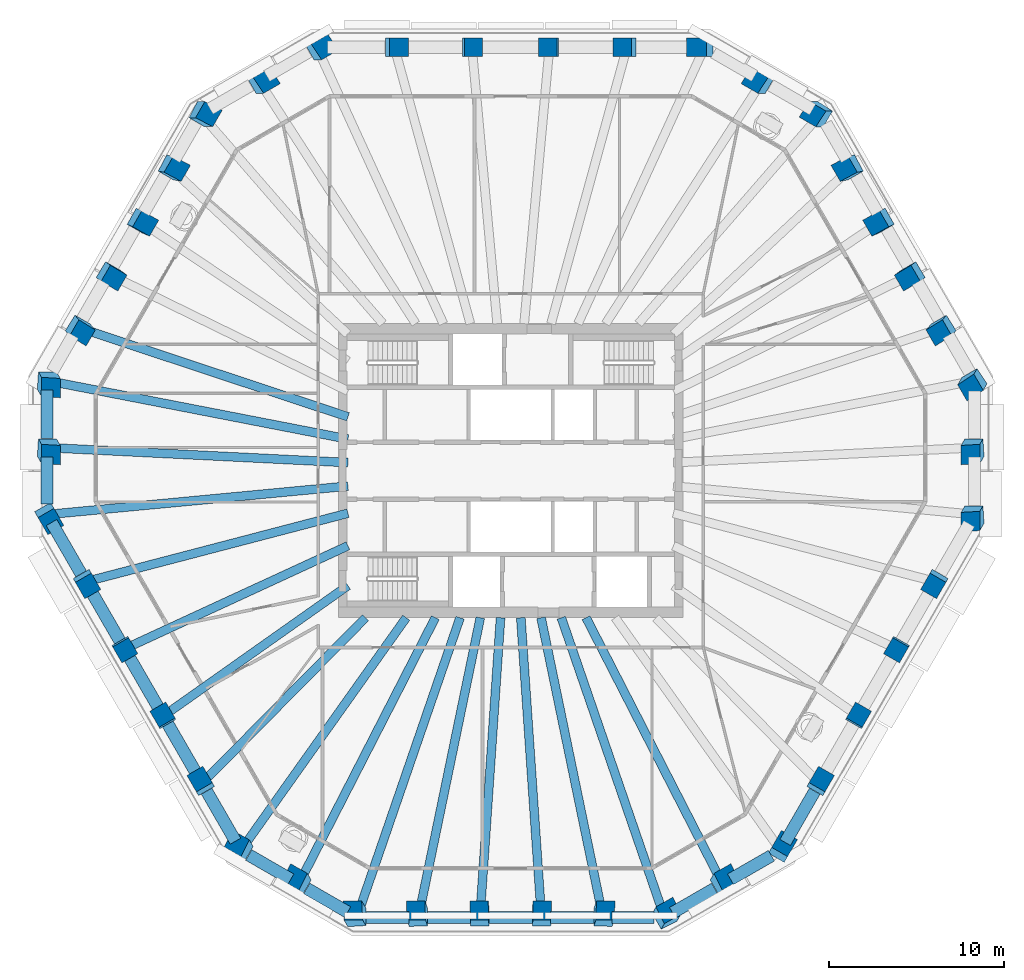
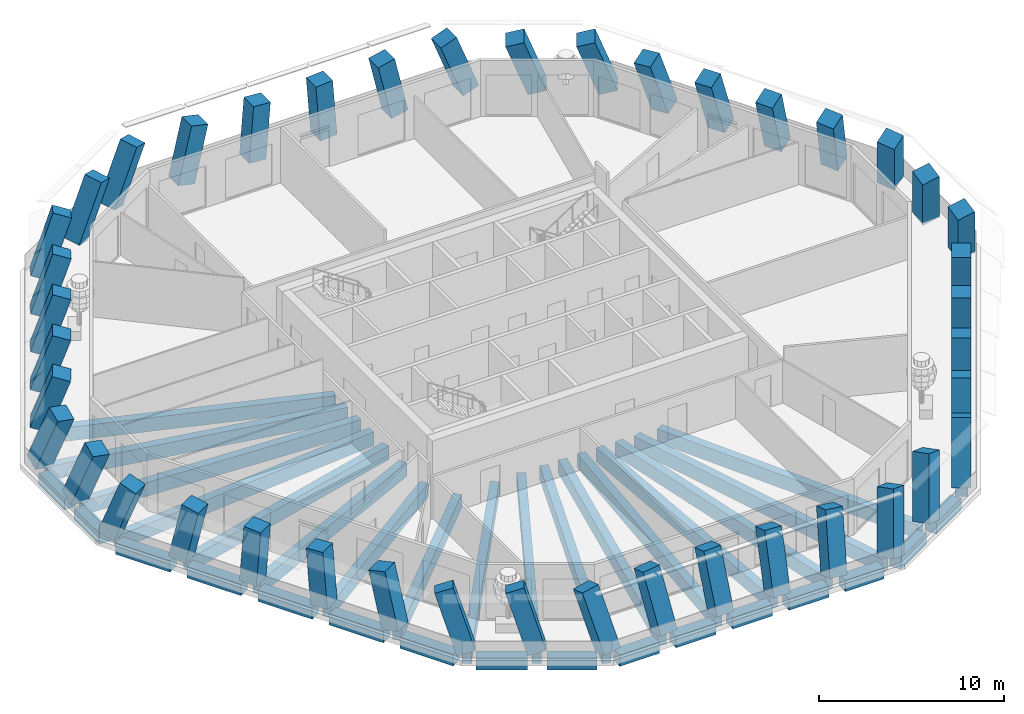
# One storey, part 1 of 12: 42 columns, 34 beams.
"""IFC4 building model written with IfcOpenShell, lengths in metres."""

import ifcopenshell
import ifcopenshell.guid

model = None  # the IFC model being written
_history = None  # IfcOwnerHistory: only IFC2X3 demands one
_inside = {}  # id of a spatial element -> (the spatial element, [elements in it])
_under = {}  # id of a project, library or spatial element -> (it, [spatial elements below it])
_declared = {}  # id of a project -> (the project, [libraries it declares])
_typed = {}  # id of a type object -> (the type object, [elements of that type])
_made_of = {}  # id of a material, layer set ... -> (it, [elements and type objects made of it])


def new_model(schema):
    """Start an empty IFC model of exactly this schema.

    Asked for "IFC4X3", IfcOpenShell would pick the latest addendum, in which some entities
    have other attributes; the version numbers below select the first issue.
    IFC2X3 requires an IfcOwnerHistory on every rooted entity: one is made here for all.
    """
    global model, _history
    if schema == "IFC4X3":
        model = ifcopenshell.file(schema_version=(4, 3, 0, 0))
    else:
        model = ifcopenshell.file(schema=schema)
    _inside.clear()
    _under.clear()
    _declared.clear()
    _typed.clear()
    _made_of.clear()
    _history = None
    if model.schema == "IFC2X3":
        org = make("IfcOrganization", Name="unknown")
        user = make(
            "IfcPersonAndOrganization",
            ThePerson=make("IfcPerson", FamilyName="unknown"),
            TheOrganization=org,
        )
        app = make(
            "IfcApplication",
            ApplicationDeveloper=org,
            Version="unknown",
            ApplicationFullName="unknown",
            ApplicationIdentifier="unknown",
        )
        _history = make(
            "IfcOwnerHistory",
            OwningUser=user,
            OwningApplication=app,
            ChangeAction="ADDED",
            CreationDate=0,
        )
    return model


def make(cls, **values):
    """One entity of the class cls with the attributes given. An attribute that is None is left unset."""
    return model.create_entity(
        cls, **{name: value for name, value in values.items() if value is not None}
    )


def rooted(cls, **values):
    """An entity with a GlobalId (a new one), such as an element, a storey or a relation."""
    return make(cls, GlobalId=ifcopenshell.guid.new(), OwnerHistory=_history, **values)


def si_unit(unit_type, name, prefix=None):
    """IfcSIUnit, for example si_unit("LENGTHUNIT", "METRE", prefix="MILLI")."""
    return make("IfcSIUnit", UnitType=unit_type, Prefix=prefix, Name=name)


def assignment(units):
    """IfcUnitAssignment: the units of a project."""
    return None if units is None else make("IfcUnitAssignment", Units=units)


def point(xyz):
    """IfcCartesianPoint."""
    return None if xyz is None else make("IfcCartesianPoint", Coordinates=xyz)


def direction(xyz):
    """IfcDirection."""
    return None if xyz is None else make("IfcDirection", DirectionRatios=xyz)


def frame(location, z_axis=None, x_axis=None):
    """IfcAxis2Placement3D, a coordinate frame: its origin and axes. An axis left out is left unset."""
    return make(
        "IfcAxis2Placement3D",
        Location=point(location),
        Axis=direction(z_axis),
        RefDirection=direction(x_axis),
    )


def frame_2d(location, x_axis=None):
    """IfcAxis2Placement2D, a coordinate frame in the plane: its origin and x axis."""
    return make(
        "IfcAxis2Placement2D", Location=point(location), RefDirection=direction(x_axis)
    )


def origin():
    """The frame at (0, 0, 0) with its axes left unset."""
    return frame((0.0, 0.0, 0.0))


def origin_2d():
    """The frame at (0, 0) in the plane with its x axis left unset."""
    return frame_2d((0.0, 0.0))


def place(relative_to, where):
    """IfcLocalPlacement: puts the frame where relative to a parent placement (None: the world)."""
    return make(
        "IfcLocalPlacement", PlacementRelTo=relative_to, RelativePlacement=where
    )


def context(
    kind, dimensions, precision=None, world=None, true_north=None, identifier=None
):
    """IfcGeometricRepresentationContext, for example the 3D "Model" context."""
    return make(
        "IfcGeometricRepresentationContext",
        ContextIdentifier=identifier,
        ContextType=kind,
        CoordinateSpaceDimension=dimensions,
        Precision=precision,
        WorldCoordinateSystem=world,
        TrueNorth=true_north,
    )


def subcontext(parent, identifier, kind, view, scale=None):
    """IfcGeometricRepresentationSubContext, for example "Body" below "Model"."""
    return make(
        "IfcGeometricRepresentationSubContext",
        ContextIdentifier=identifier,
        ContextType=kind,
        ParentContext=parent,
        TargetScale=scale,
        TargetView=view,
    )


def project(units=None, contexts=None):
    """IfcProject with its units and contexts."""
    return rooted(
        "IfcProject",
        Name="project",
        RepresentationContexts=contexts,
        UnitsInContext=assignment(units),
    )


def spatial(cls, under=None, at=None, **own):
    """A site, building, storey or space (cls), placed at a placement, below another one or the project."""
    s = rooted(cls, ObjectPlacement=at, **own)
    if under is not None:
        _under.setdefault(under.id(), (under, []))[1].append(s)
    return s


def profile(cls, at=None, kind="AREA", **sizes):
    """A parametric profile (cls). Its sizes go by their IFC names, for example OverallWidth=200.0."""
    return make(cls, ProfileType=kind, Position=at, **sizes)


def rectangle(**sizes):
    """IfcRectangleProfileDef."""
    return profile("IfcRectangleProfileDef", **sizes)


def extrude(swept, where, along, depth):
    """IfcExtrudedAreaSolid: the profile swept, set in the frame where, extruded along a direction by depth."""
    return make(
        "IfcExtrudedAreaSolid",
        SweptArea=swept,
        Position=where,
        ExtrudedDirection=direction(along),
        Depth=depth,
    )


def shape(context_of_items, identifier, shape_type, items):
    """IfcShapeRepresentation: the items that make up one representation, for example the "Body"."""
    return make(
        "IfcShapeRepresentation",
        ContextOfItems=context_of_items,
        RepresentationIdentifier=identifier,
        RepresentationType=shape_type,
        Items=items,
    )


def material(Name=None, Category=None):
    """IfcMaterial."""
    return make("IfcMaterial", Name=Name, Category=Category)


def material_profile(
    of_material, cross_section, Name=None, Category=None, Priority=None
):
    """IfcMaterialProfile: a cross section and its material."""
    return make(
        "IfcMaterialProfile",
        Name=Name,
        Material=of_material,
        Profile=cross_section,
        Priority=Priority,
        Category=Category,
    )


def profile_set(profiles, Name=None, composite=None):
    """IfcMaterialProfileSet."""
    return make(
        "IfcMaterialProfileSet",
        Name=Name,
        MaterialProfiles=profiles,
        CompositeProfile=composite,
    )


def made_of(thing, what):
    """Note that an element or type object is made of a material, layer set ...; save() writes the relation."""
    if what is not None:
        _made_of.setdefault(what.id(), (what, []))[1].append(thing)
    return thing


def type_object(cls, material=None, **own):
    """A type object (cls), such as IfcWallType, which elements share."""
    return made_of(rooted(cls, **own), material)


def element(
    cls,
    number,
    at=None,
    inside=None,
    cuts=None,
    type_object=None,
    material=None,
    context=None,
    identifier="Body",
    shape_type=None,
    held_by="IfcProductDefinitionShape",
    body=None,
    shapes=None,
    **own,
):
    """One element of the class cls, such as IfcWall. Its Tag is "e" and its number.

    at: its placement. inside: the storey or other place that contains it. cuts: it is an
    opening in that element (IfcRelVoidsElement). A single representation is given by context,
    identifier, shape_type and body (its items); several are given by shapes. held_by: the class
    of the entity that holds the representations. save() writes the other relations.
    """
    e = rooted(cls, Tag="e%d" % number, ObjectPlacement=at, **own)
    if body is not None:
        shapes = [shape(context, identifier, shape_type, body)]
    if shapes is not None:
        e.Representation = make(held_by, Representations=shapes)
    if inside is not None:
        _inside.setdefault(inside.id(), (inside, []))[1].append(e)
    if cuts is not None:
        rooted(
            "IfcRelVoidsElement", RelatingBuildingElement=cuts, RelatedOpeningElement=e
        )
    if type_object is not None:
        _typed.setdefault(type_object.id(), (type_object, []))[1].append(e)
    return made_of(e, material)


def aggregate(whole, parts):
    """IfcRelAggregates: a whole, such as a stair, and the parts it consists of."""
    return rooted("IfcRelAggregates", RelatingObject=whole, RelatedObjects=parts)


def save(model, path):
    """Write the relations noted so far, then the file.

    IfcRelAggregates (storeys below a building ...), IfcRelContainedInSpatialStructure (elements
    in a storey), IfcRelDefinesByType, IfcRelAssociatesMaterial and IfcRelDeclares: one each for
    every whole, place, type object, material and project.
    """
    for whole, parts in _under.values():
        aggregate(whole, parts)
    for where, things in _inside.values():
        rooted(
            "IfcRelContainedInSpatialStructure",
            RelatedElements=things,
            RelatingStructure=where,
        )
    for kind, things in _typed.values():
        rooted("IfcRelDefinesByType", RelatedObjects=things, RelatingType=kind)
    for what, things in _made_of.values():
        rooted("IfcRelAssociatesMaterial", RelatedObjects=things, RelatingMaterial=what)
    for by, libraries in _declared.values():
        rooted("IfcRelDeclares", RelatingContext=by, RelatedDefinitions=libraries)
    model.write(path)


model = new_model("IFC4")

# Units and contexts
model_context = context("Model", 3, precision=1e-05, world=origin(), true_north=direction((0.0, 1.0)))
body_context = subcontext(model_context, "Body", "Model", "MODEL_VIEW")
ifc_project = project(units=[si_unit("LENGTHUNIT", "METRE"), si_unit("AREAUNIT", "SQUARE_METRE"), si_unit("VOLUMEUNIT", "CUBIC_METRE"), si_unit("PLANEANGLEUNIT", "RADIAN"), si_unit("MASSUNIT", "GRAM", prefix="KILO")], contexts=[model_context])

# Site, building, storey
site_placement = place(None, origin())
site = spatial("IfcSite", under=ifc_project, at=site_placement, CompositionType="ELEMENT")
building_placement = place(site_placement, origin())
building = spatial("IfcBuilding", under=site, at=building_placement, Name="Frailejon Research Tower", CompositionType="ELEMENT")
storey_placement = place(building_placement, frame((0.0, 0.0, 253.39990234375)))
storey = spatial("IfcBuildingStorey", under=building, at=storey_placement, Name="L55", CompositionType="ELEMENT", Elevation=253.39990234375)

# Columns
ifc_material_1 = material(Name="Concrete C60/75", Category="concrete")
ifc_material_profile_1 = material_profile(ifc_material_1, rectangle(XDim=1.050048828125, YDim=1.050048828125, at=origin_2d()), Name="Column 1050")
ifc_profile_set_1 = profile_set([ifc_material_profile_1], Name="Concrete C60/75")
column_type = type_object("IfcColumnType", Name="Column 1050", PredefinedType="COLUMN", material=ifc_profile_set_1)
column_1_placement = place(storey_placement, frame((26.496337890625, -2.5068359375, 0.0), z_axis=(-0.177994307694, -0.308356335864, 0.934470115392), x_axis=(-0.057760159262, 0.951270921671, 0.302898328794)))
element("IfcColumn", 1, at=column_1_placement, inside=storey, type_object=column_type, Name="Column C01", PredefinedType="COLUMN", context=body_context, shape_type="SweptSolid", body=[
    extrude(rectangle(XDim=1.050048828125, YDim=1.050048828125, at=origin_2d()), origin(), (0.0, 0.0, 1.0), 3.8955078125),
])
for number, where, z_axis, x_axis, name in (
    (2, (26.496337890625, 1.31982421875, 0.0), (-0.177997747351, -0.308299619444, 0.934488173595), (-0.057668751113, 0.951289306338, 0.30285800434), "Column C02"),
    (3, (26.496337890625, 5.146484375, 0.0), (-0.177997747351, -0.308299619444, 0.934488173595), (-0.540297359844, 0.824320453127, 0.169040094365), "Column C03"),
):
    element("IfcColumn", number, at=place(storey_placement, frame(where, z_axis=z_axis, x_axis=x_axis)), inside=storey, type_object=column_type, Name=name, PredefinedType="COLUMN", context=body_context, shape_type="SweptSolid", body=[
        extrude(rectangle(XDim=1.050048828125, YDim=1.050048828125, at=origin_2d()), origin(), (0.0, 0.0, 1.0), 3.895263671875),
    ])
column_2_placement = place(storey_placement, frame((24.73828125, 8.19189453125, 0.0), z_axis=(-0.21585398852, -0.249223026933, 0.944084179767), x_axis=(-0.526275882719, 0.844112769498, 0.102505256644)))
element("IfcColumn", 4, at=column_2_placement, inside=storey, type_object=column_type, Name="Column C04", PredefinedType="COLUMN", context=body_context, shape_type="SweptSolid", body=[
    extrude(rectangle(XDim=1.050048828125, YDim=1.050048828125, at=origin_2d()), origin(), (0.0, 0.0, 1.0), 3.855712890625),
])
for number, where, z_axis, x_axis, name in (
    (5, (22.97998046875, 11.2373046875, 0.0), (-0.253077739927, -0.187888164079, 0.949025655793), (-0.509528562623, 0.859768212853, 0.034340414077), "Column C05"),
    (6, (21.2216796875, 14.28271484375, 0.0), (-0.289255902116, -0.1252997917, 0.94901579823), (-0.49002192424, 0.871032943663, -0.034352944818), "Column C06"),
):
    element("IfcColumn", number, at=place(storey_placement, frame(where, z_axis=z_axis, x_axis=x_axis)), inside=storey, type_object=column_type, Name=name, PredefinedType="COLUMN", context=body_context, shape_type="SweptSolid", body=[
        extrude(rectangle(XDim=1.050048828125, YDim=1.050048828125, at=origin_2d()), origin(), (0.0, 0.0, 1.0), 3.84619140625),
    ])
column_3_placement = place(storey_placement, frame((19.463623046875, 17.327880859375, 0.0), z_axis=(-0.32375212642, -0.062242976779, 0.944092353788), x_axis=(-0.467676932124, 0.87793666496, -0.102496338853)))
element("IfcColumn", 7, at=column_3_placement, inside=storey, type_object=column_type, Name="Column C07", PredefinedType="COLUMN", context=body_context, shape_type="SweptSolid", body=[
    extrude(rectangle(XDim=1.050048828125, YDim=1.050048828125, at=origin_2d()), origin(), (0.0, 0.0, 1.0), 3.855712890625),
])
for number, where, z_axis, x_axis, name in (
    (8, (17.705322265625, 20.373291015625, 0.0), (-0.356050057994, 0.0, 0.934466883417), (-0.794974235291, 0.525611228878, -0.302900645922), "Column C08"),
    (9, (14.391357421875, 22.28662109375, 0.0), (-0.356050057994, 0.0, 0.934466883417), (-0.794974235291, 0.525611228878, -0.302900645922), "Column C09"),
    (10, (11.077392578125, 24.199951171875, 0.0), (-0.356050057994, 0.0, 0.934466883417), (-0.934466883417, 0.0, -0.356050057994), "Column C10"),
):
    element("IfcColumn", number, at=place(storey_placement, frame(where, z_axis=z_axis, x_axis=x_axis)), inside=storey, type_object=column_type, Name=name, PredefinedType="COLUMN", context=body_context, shape_type="SweptSolid", body=[
        extrude(rectangle(XDim=1.050048828125, YDim=1.050048828125, at=origin_2d()), origin(), (0.0, 0.0, 1.0), 3.8955078125),
    ])
column_4_placement = place(storey_placement, frame((6.646484375, 24.199951171875, 0.0), z_axis=(-0.222886936691, 0.0, 0.974844302159), x_axis=(-0.974844302159, 0.0, -0.222886936691)))
element("IfcColumn", 11, at=column_4_placement, inside=storey, type_object=column_type, Name="Column C11", PredefinedType="COLUMN", context=body_context, shape_type="SweptSolid", body=[
    extrude(rectangle(XDim=1.050048828125, YDim=1.050048828125, at=origin_2d()), origin(), (0.0, 0.0, 1.0), 3.734130859375),
])
for number, where, z_axis, x_axis, name in (
    (12, (2.215576171875, 24.199951171875, 0.0), (-0.076036780709, 0.0, 0.997105013516), (-0.997105013516, 0.0, -0.076036780709), "Column C12"),
    (13, (-2.215576171875, 24.199951171875, 0.0), (0.076036780709, 0.0, 0.997105013516), (-0.997105013516, 0.0, 0.076036780709), "Column C13"),
):
    element("IfcColumn", number, at=place(storey_placement, frame(where, z_axis=z_axis, x_axis=x_axis)), inside=storey, type_object=column_type, Name=name, PredefinedType="COLUMN", context=body_context, shape_type="SweptSolid", body=[
        extrude(rectangle(XDim=1.050048828125, YDim=1.050048828125, at=origin_2d()), origin(), (0.0, 0.0, 1.0), 3.650634765625),
    ])
column_5_placement = place(storey_placement, frame((-6.646484375, 24.199951171875, 0.0), z_axis=(0.222886936691, 0.0, 0.974844302159), x_axis=(-0.974844302159, 0.0, 0.222886936691)))
element("IfcColumn", 14, at=column_5_placement, inside=storey, type_object=column_type, Name="Column C14", PredefinedType="COLUMN", context=body_context, shape_type="SweptSolid", body=[
    extrude(rectangle(XDim=1.050048828125, YDim=1.050048828125, at=origin_2d()), origin(), (0.0, 0.0, 1.0), 3.734130859375),
])
for number, where, z_axis, x_axis, name in (
    (15, (-11.077392578125, 24.199951171875, 0.0), (0.356050057994, 0.0, 0.934466883417), (-0.794974235291, -0.525611228878, 0.302900645922), "Column C15"),
    (16, (-14.391357421875, 22.28662109375, 0.0), (0.356050057994, 0.0, 0.934466883417), (-0.794974235291, -0.525611228878, 0.302900645922), "Column C16"),
    (17, (-17.705322265625, 20.373291015625, 0.0), (0.356050057994, 0.0, 0.934466883417), (-0.443701686757, -0.880084016972, 0.169058972667), "Column C17"),
):
    element("IfcColumn", number, at=place(storey_placement, frame(where, z_axis=z_axis, x_axis=x_axis)), inside=storey, type_object=column_type, Name=name, PredefinedType="COLUMN", context=body_context, shape_type="SweptSolid", body=[
        extrude(rectangle(XDim=1.050048828125, YDim=1.050048828125, at=origin_2d()), origin(), (0.0, 0.0, 1.0), 3.8955078125),
    ])
column_6_placement = place(storey_placement, frame((-19.463623046875, 17.327880859375, 0.0), z_axis=(0.32375212642, -0.062242976779, 0.944092353788), x_axis=(-0.467676932124, -0.87793666496, 0.102496338853)))
element("IfcColumn", 18, at=column_6_placement, inside=storey, type_object=column_type, Name="Column C18", PredefinedType="COLUMN", context=body_context, shape_type="SweptSolid", body=[
    extrude(rectangle(XDim=1.050048828125, YDim=1.050048828125, at=origin_2d()), origin(), (0.0, 0.0, 1.0), 3.855712890625),
])
for number, where, z_axis, x_axis, name in (
    (19, (-21.2216796875, 14.28271484375, 0.0), (0.289255902116, -0.1252997917, 0.94901579823), (-0.49002192424, -0.871032943663, 0.034352944818), "Column C19"),
    (20, (-22.97998046875, 11.2373046875, 0.0), (0.253077739927, -0.187888164079, 0.949025655793), (-0.509528562623, -0.859768212853, -0.034340414077), "Column C20"),
):
    element("IfcColumn", number, at=place(storey_placement, frame(where, z_axis=z_axis, x_axis=x_axis)), inside=storey, type_object=column_type, Name=name, PredefinedType="COLUMN", context=body_context, shape_type="SweptSolid", body=[
        extrude(rectangle(XDim=1.050048828125, YDim=1.050048828125, at=origin_2d()), origin(), (0.0, 0.0, 1.0), 3.84619140625),
    ])
column_7_placement = place(storey_placement, frame((-24.73828125, 8.19189453125, 0.0), z_axis=(0.21585398852, -0.249223026933, 0.944084179767), x_axis=(-0.526275882719, -0.844112769498, -0.102505256644)))
element("IfcColumn", 21, at=column_7_placement, inside=storey, type_object=column_type, Name="Column C21", PredefinedType="COLUMN", context=body_context, shape_type="SweptSolid", body=[
    extrude(rectangle(XDim=1.050048828125, YDim=1.050048828125, at=origin_2d()), origin(), (0.0, 0.0, 1.0), 3.855712890625),
])
for number, where, z_axis, x_axis, name in (
    (22, (-26.496337890625, 5.146484375, 0.0), (0.177997747351, -0.308299619444, 0.934488173595), (-0.057668751113, -0.951289306338, -0.30285800434), "Column C22"),
    (23, (-26.496337890625, 1.31982421875, 0.0), (0.177997747351, -0.308299619444, 0.934488173595), (-0.057668751113, -0.951289306338, -0.30285800434), "Column C23"),
):
    element("IfcColumn", number, at=place(storey_placement, frame(where, z_axis=z_axis, x_axis=x_axis)), inside=storey, type_object=column_type, Name=name, PredefinedType="COLUMN", context=body_context, shape_type="SweptSolid", body=[
        extrude(rectangle(XDim=1.050048828125, YDim=1.050048828125, at=origin_2d()), origin(), (0.0, 0.0, 1.0), 3.895263671875),
    ])
column_8_placement = place(storey_placement, frame((-26.496337890625, -2.5068359375, 0.0), z_axis=(0.177994307694, -0.308356335864, 0.934470115392), x_axis=(0.467189742981, -0.80930101984, -0.356041575297)))
element("IfcColumn", 24, at=column_8_placement, inside=storey, type_object=column_type, Name="Column C24", PredefinedType="COLUMN", context=body_context, shape_type="SweptSolid", body=[
    extrude(rectangle(XDim=1.050048828125, YDim=1.050048828125, at=origin_2d()), origin(), (0.0, 0.0, 1.0), 3.8955078125),
])
column_9_placement = place(storey_placement, frame((-24.281005859375, -6.343994140625, 0.0), z_axis=(0.11141157775, -0.193008789623, 0.974851305313), x_axis=(0.487356172792, -0.844286105721, -0.222856304663)))
element("IfcColumn", 25, at=column_9_placement, inside=storey, type_object=column_type, Name="Column C25", PredefinedType="COLUMN", context=body_context, shape_type="SweptSolid", body=[
    extrude(rectangle(XDim=1.050048828125, YDim=1.050048828125, at=origin_2d()), origin(), (0.0, 0.0, 1.0), 3.734130859375),
])
for number, where, z_axis, x_axis, name in (
    (26, (-22.0654296875, -10.181396484375, 0.0), (0.037985280426, -0.065738610314, 0.997113611172), (0.49877068165, -0.863402201049, -0.075923951094), "Column C26"),
    (27, (-19.85009765625, -14.0185546875, 0.0), (-0.037985280426, 0.065738610314, 0.997113611172), (0.49877068165, -0.863402201049, 0.075923951094), "Column C27"),
):
    element("IfcColumn", number, at=place(storey_placement, frame(where, z_axis=z_axis, x_axis=x_axis)), inside=storey, type_object=column_type, Name=name, PredefinedType="COLUMN", context=body_context, shape_type="SweptSolid", body=[
        extrude(rectangle(XDim=1.050048828125, YDim=1.050048828125, at=origin_2d()), origin(), (0.0, 0.0, 1.0), 3.650634765625),
    ])
column_10_placement = place(storey_placement, frame((-17.634521484375, -17.85595703125, 0.0), z_axis=(-0.111476147864, 0.193007383282, 0.974844202145), x_axis=(0.48748245992, -0.844204992977, 0.222887373134)))
element("IfcColumn", 28, at=column_10_placement, inside=storey, type_object=column_type, Name="Column C28", PredefinedType="COLUMN", context=body_context, shape_type="SweptSolid", body=[
    extrude(rectangle(XDim=1.050048828125, YDim=1.050048828125, at=origin_2d()), origin(), (0.0, 0.0, 1.0), 3.734130859375),
])
for number, where, z_axis, x_axis, name in (
    (29, (-15.419189453125, -21.693115234375, 0.0), (-0.177997747351, 0.308299619444, 0.934488173595), (0.852702618945, -0.425653858356, 0.302848207046), "Column C29"),
    (30, (-12.105224609375, -23.6064453125, 0.0), (-0.177997747351, 0.308299619444, 0.934488173595), (0.852702618945, -0.425653858356, 0.302848207046), "Column C30"),
):
    element("IfcColumn", number, at=place(storey_placement, frame(where, z_axis=z_axis, x_axis=x_axis)), inside=storey, type_object=column_type, Name=name, PredefinedType="COLUMN", context=body_context, shape_type="SweptSolid", body=[
        extrude(rectangle(XDim=1.050048828125, YDim=1.050048828125, at=origin_2d()), origin(), (0.0, 0.0, 1.0), 3.895263671875),
    ])
column_11_placement = place(storey_placement, frame((-8.791015625, -25.52001953125, 0.0), z_axis=(-0.178054995092, 0.308352895408, 0.934459689134), x_axis=(0.984020537263, 0.055825358544, 0.169077235569)))
element("IfcColumn", 31, at=column_11_placement, inside=storey, type_object=column_type, Name="Column C31", PredefinedType="COLUMN", context=body_context, shape_type="SweptSolid", body=[
    extrude(rectangle(XDim=1.050048828125, YDim=1.050048828125, at=origin_2d()), origin(), (0.0, 0.0, 1.0), 3.8955078125),
])
column_12_placement = place(storey_placement, frame((-5.274658203125, -25.52001953125, 0.0), z_axis=(-0.107958643301, 0.31152875369, 0.944084088925), x_axis=(0.994155377605, 0.03395270347, 0.102480725536)))
element("IfcColumn", 32, at=column_12_placement, inside=storey, type_object=column_type, Name="Column C32", PredefinedType="COLUMN", context=body_context, shape_type="SweptSolid", body=[
    extrude(rectangle(XDim=1.050048828125, YDim=1.050048828125, at=origin_2d()), origin(), (0.0, 0.0, 1.0), 3.855712890625),
])
for number, where, z_axis, x_axis, name in (
    (33, (-1.75830078125, -25.52001953125, 0.0), (-0.036116938081, 0.313182728459, 0.949005872152), (0.99934756172, 0.011192278215, 0.034339245663), "Column C33"),
    (34, (1.75830078125, -25.52001953125, 0.0), (0.036116938081, 0.313182728459, 0.949005872152), (0.99934756172, -0.011192278215, -0.034339245663), "Column C34"),
):
    element("IfcColumn", number, at=place(storey_placement, frame(where, z_axis=z_axis, x_axis=x_axis)), inside=storey, type_object=column_type, Name=name, PredefinedType="COLUMN", context=body_context, shape_type="SweptSolid", body=[
        extrude(rectangle(XDim=1.050048828125, YDim=1.050048828125, at=origin_2d()), origin(), (0.0, 0.0, 1.0), 3.84619140625),
    ])
column_13_placement = place(storey_placement, frame((5.274658203125, -25.52001953125, 0.0), z_axis=(0.107958643301, 0.31152875369, 0.944084088925), x_axis=(0.994155377605, -0.03395270347, -0.102480725536)))
element("IfcColumn", 35, at=column_13_placement, inside=storey, type_object=column_type, Name="Column C35", PredefinedType="COLUMN", context=body_context, shape_type="SweptSolid", body=[
    extrude(rectangle(XDim=1.050048828125, YDim=1.050048828125, at=origin_2d()), origin(), (0.0, 0.0, 1.0), 3.855712890625),
])
column_14_placement = place(storey_placement, frame((8.791015625, -25.52001953125, 0.0), z_axis=(0.178054995092, 0.308352895408, 0.934459689134), x_axis=(0.852689636522, 0.425626936937, -0.302922588001)))
element("IfcColumn", 36, at=column_14_placement, inside=storey, type_object=column_type, Name="Column C36", PredefinedType="COLUMN", context=body_context, shape_type="SweptSolid", body=[
    extrude(rectangle(XDim=1.050048828125, YDim=1.050048828125, at=origin_2d()), origin(), (0.0, 0.0, 1.0), 3.8955078125),
])
for number, where, z_axis, x_axis, name in (
    (37, (12.105224609375, -23.6064453125, 0.0), (0.177997747351, 0.308299619444, 0.934488173595), (0.852702618945, 0.425653858356, -0.302848207046), "Column C37"),
    (38, (15.419189453125, -21.693115234375, 0.0), (0.177997747351, 0.308299619444, 0.934488173595), (0.46727000126, 0.809275535655, -0.355994175953), "Column C38"),
):
    element("IfcColumn", number, at=place(storey_placement, frame(where, z_axis=z_axis, x_axis=x_axis)), inside=storey, type_object=column_type, Name=name, PredefinedType="COLUMN", context=body_context, shape_type="SweptSolid", body=[
        extrude(rectangle(XDim=1.050048828125, YDim=1.050048828125, at=origin_2d()), origin(), (0.0, 0.0, 1.0), 3.895263671875),
    ])
column_15_placement = place(storey_placement, frame((17.634521484375, -17.85595703125, 0.0), z_axis=(0.111476147864, 0.193007383282, 0.974844202145), x_axis=(0.48748245992, 0.844204992977, -0.222887373134)))
element("IfcColumn", 39, at=column_15_placement, inside=storey, type_object=column_type, Name="Column C39", PredefinedType="COLUMN", context=body_context, shape_type="SweptSolid", body=[
    extrude(rectangle(XDim=1.050048828125, YDim=1.050048828125, at=origin_2d()), origin(), (0.0, 0.0, 1.0), 3.734130859375),
])
for number, where, z_axis, x_axis, name in (
    (40, (19.85009765625, -14.0185546875, 0.0), (0.037985280426, 0.065738610314, 0.997113611172), (0.49877068165, 0.863402201049, -0.075923951094), "Column C40"),
    (41, (22.0654296875, -10.181396484375, 0.0), (-0.037985280426, -0.065738610314, 0.997113611172), (0.49877068165, 0.863402201049, 0.075923951094), "Column C41"),
):
    element("IfcColumn", number, at=place(storey_placement, frame(where, z_axis=z_axis, x_axis=x_axis)), inside=storey, type_object=column_type, Name=name, PredefinedType="COLUMN", context=body_context, shape_type="SweptSolid", body=[
        extrude(rectangle(XDim=1.050048828125, YDim=1.050048828125, at=origin_2d()), origin(), (0.0, 0.0, 1.0), 3.650634765625),
    ])
column_16_placement = place(storey_placement, frame((24.281005859375, -6.343994140625, 0.0), z_axis=(-0.11141157775, -0.193008789623, 0.974851305313), x_axis=(0.487356172792, 0.844286105721, 0.222856304663)))
element("IfcColumn", 42, at=column_16_placement, inside=storey, type_object=column_type, Name="Column C42", PredefinedType="COLUMN", context=body_context, shape_type="SweptSolid", body=[
    extrude(rectangle(XDim=1.050048828125, YDim=1.050048828125, at=origin_2d()), origin(), (0.0, 0.0, 1.0), 3.734130859375),
])

# Beams
ifc_material_2 = material(Name="Concrete C60/75", Category="concrete")
ifc_material_profile_2 = material_profile(ifc_material_2, rectangle(XDim=0.5, YDim=0.89990234375, at=origin_2d()), Name="Girder 500x900")
ifc_profile_set_2 = profile_set([ifc_material_profile_2], Name="Concrete C60/75")
beam_type_1 = type_object("IfcBeamType", Name="Girder 500x900", PredefinedType="BEAM", material=ifc_profile_set_2)
beam_1_placement = place(storey_placement, frame((-24.37158203125, 8.070556640625, -0.75), z_axis=(0.949302720599, -0.31436339587, 0.0), x_axis=(0.31436339587, 0.949302720599, 0.0)))
element("IfcBeam", 43, at=beam_1_placement, inside=storey, type_object=beam_type_1, Name="Girder 500x900", PredefinedType="BEAM", context=body_context, shape_type="SweptSolid", body=[
    extrude(rectangle(XDim=0.5, YDim=0.89990234375, at=origin_2d()), origin(), (0.0, 0.0, 1.0), 15.87646484375),
])
beam_2_placement = place(storey_placement, frame((-26.11865234375, 5.0732421875, -0.75), z_axis=(0.981652970966, -0.1906762822, 0.0), x_axis=(0.1906762822, 0.981652970966, 0.0)))
element("IfcBeam", 44, at=beam_2_placement, inside=storey, type_object=beam_type_1, Name="Girder 500x900", PredefinedType="BEAM", context=body_context, shape_type="SweptSolid", body=[
    extrude(rectangle(XDim=0.5, YDim=0.89990234375, at=origin_2d()), origin(), (0.0, 0.0, 1.0), 17.133056640625),
])
beam_3_placement = place(storey_placement, frame((-26.12109375, 1.30126953125, -0.75), z_axis=(0.998761684093, -0.04975036067, 0.0), x_axis=(0.04975036067, 0.998761684093, 0.0)))
element("IfcBeam", 45, at=beam_3_placement, inside=storey, type_object=beam_type_1, Name="Girder 500x900", PredefinedType="BEAM", context=body_context, shape_type="SweptSolid", body=[
    extrude(rectangle(XDim=0.5, YDim=0.89990234375, at=origin_2d()), origin(), (0.0, 0.0, 1.0), 16.841796875),
])
beam_4_placement = place(storey_placement, frame((-26.07080078125, -2.466552734375, -0.75), z_axis=(0.995554357864, 0.094188749534, 0.0), x_axis=(-0.094188749534, 0.995554357864, 0.0)))
element("IfcBeam", 46, at=beam_4_placement, inside=storey, type_object=beam_type_1, Name="Girder 500x900", PredefinedType="BEAM", context=body_context, shape_type="SweptSolid", body=[
    extrude(rectangle(XDim=0.5, YDim=0.89990234375, at=origin_2d()), origin(), (0.0, 0.0, 1.0), 16.845703125),
])
beam_5_placement = place(storey_placement, frame((-23.8994140625, -6.244384765625, -0.75), z_axis=(0.967521327988, 0.252789398292, 0.0), x_axis=(-0.252789398292, 0.967521327988, 0.0)))
element("IfcBeam", 47, at=beam_5_placement, inside=storey, type_object=beam_type_1, Name="Girder 500x900", PredefinedType="BEAM", context=body_context, shape_type="SweptSolid", body=[
    extrude(rectangle(XDim=0.5, YDim=0.89990234375, at=origin_2d()), origin(), (0.0, 0.0, 1.0), 15.08935546875),
])
beam_6_placement = place(storey_placement, frame((-21.722900390625, -10.0234375, -0.75), z_axis=(0.907999595732, 0.418971042139, 0.0), x_axis=(-0.418971042139, 0.907999595732, 0.0)))
element("IfcBeam", 48, at=beam_6_placement, inside=storey, type_object=beam_type_1, Name="Girder 500x900", PredefinedType="BEAM", context=body_context, shape_type="SweptSolid", body=[
    extrude(rectangle(XDim=0.5, YDim=0.89990234375, at=origin_2d()), origin(), (0.0, 0.0, 1.0), 13.681640625),
])
beam_7_placement = place(storey_placement, frame((-19.5419921875, -13.801025390625, -0.75), z_axis=(0.816834556195, 0.576872002965, 0.0), x_axis=(-0.576872002965, 0.816834556195, 0.0)))
element("IfcBeam", 49, at=beam_7_placement, inside=storey, type_object=beam_type_1, Name="Girder 500x900", PredefinedType="BEAM", context=body_context, shape_type="SweptSolid", body=[
    extrude(rectangle(XDim=0.5, YDim=0.89990234375, at=origin_2d()), origin(), (0.0, 0.0, 1.0), 12.53857421875),
])
beam_8_placement = place(storey_placement, frame((-17.357421875, -17.5751953125, -0.75), z_axis=(0.702681854949, 0.711504188832, 0.0), x_axis=(-0.711504188832, 0.702681854949, 0.0)))
element("IfcBeam", 50, at=beam_8_placement, inside=storey, type_object=beam_type_1, Name="Girder 500x900", PredefinedType="BEAM", context=body_context, shape_type="SweptSolid", body=[
    extrude(rectangle(XDim=0.5, YDim=0.89990234375, at=origin_2d()), origin(), (0.0, 0.0, 1.0), 12.8955078125),
])
beam_9_placement = place(storey_placement, frame((-15.20068359375, -21.385498046875, -0.75), z_axis=(0.579347813105, 0.815080432504, 0.0), x_axis=(-0.815080432504, 0.579347813105, 0.0)))
element("IfcBeam", 51, at=beam_9_placement, inside=storey, type_object=beam_type_1, Name="Girder 500x900", PredefinedType="BEAM", context=body_context, shape_type="SweptSolid", body=[
    extrude(rectangle(XDim=0.5, YDim=0.89990234375, at=origin_2d()), origin(), (0.0, 0.0, 1.0), 15.931640625),
])
beam_10_placement = place(storey_placement, frame((-11.933837890625, -23.272216796875, -0.75), z_axis=(0.456299447372, 0.889826283231, 0.0), x_axis=(-0.889826283231, 0.456299447372, 0.0)))
element("IfcBeam", 52, at=beam_10_placement, inside=storey, type_object=beam_type_1, Name="Girder 500x900", PredefinedType="BEAM", context=body_context, shape_type="SweptSolid", body=[
    extrude(rectangle(XDim=0.5, YDim=0.89990234375, at=origin_2d()), origin(), (0.0, 0.0, 1.0), 16.713623046875),
])
beam_11_placement = place(storey_placement, frame((-8.6591796875, -25.13671875, -0.75), z_axis=(0.325703344895, 0.945472014987, 0.0), x_axis=(-0.945472014987, 0.325703344895, 0.0)))
element("IfcBeam", 53, at=beam_11_placement, inside=storey, type_object=beam_type_1, Name="Girder 500x900", PredefinedType="BEAM", context=body_context, shape_type="SweptSolid", body=[
    extrude(rectangle(XDim=0.5, YDim=0.89990234375, at=origin_2d()), origin(), (0.0, 0.0, 1.0), 17.7021484375),
])
beam_12_placement = place(storey_placement, frame((-5.196533203125, -25.141845703125, -0.75), z_axis=(0.202414821594, 0.979299872357, 0.0), x_axis=(-0.979299872357, 0.202414821594, 0.0)))
element("IfcBeam", 54, at=beam_12_placement, inside=storey, type_object=beam_type_1, Name="Girder 500x900", PredefinedType="BEAM", context=body_context, shape_type="SweptSolid", body=[
    extrude(rectangle(XDim=0.5, YDim=0.89990234375, at=origin_2d()), origin(), (0.0, 0.0, 1.0), 17.095947265625),
])
for number, where, z_axis, x_axis, name in (
    (55, (-1.732421875, -25.14453125, -0.75), (0.068743185536, 0.997634389164, 0.0), (-0.997634389164, 0.068743185536, 0.0), "Girder 500x900"),
    (56, (1.732421875, -25.14453125, -0.75), (-0.068743185536, 0.997634389164, 0.0), (-0.997634389164, -0.068743185536, 0.0), "Girder 500x900"),
):
    element("IfcBeam", number, at=place(storey_placement, frame(where, z_axis=z_axis, x_axis=x_axis)), inside=storey, type_object=beam_type_1, Name=name, PredefinedType="BEAM", context=body_context, shape_type="SweptSolid", body=[
        extrude(rectangle(XDim=0.5, YDim=0.89990234375, at=origin_2d()), origin(), (0.0, 0.0, 1.0), 16.784423828125),
    ])
beam_13_placement = place(storey_placement, frame((5.196533203125, -25.141845703125, -0.75), z_axis=(-0.202414821594, 0.979299872357, 0.0), x_axis=(-0.979299872357, -0.202414821594, 0.0)))
element("IfcBeam", 57, at=beam_13_placement, inside=storey, type_object=beam_type_1, Name="Girder 500x900", PredefinedType="BEAM", context=body_context, shape_type="SweptSolid", body=[
    extrude(rectangle(XDim=0.5, YDim=0.89990234375, at=origin_2d()), origin(), (0.0, 0.0, 1.0), 17.095947265625),
])
beam_14_placement = place(storey_placement, frame((8.665771484375, -25.156005859375, -0.75), z_axis=(-0.325700703244, 0.945472924999, 0.0), x_axis=(-0.945472924999, -0.325700703244, 0.0)))
element("IfcBeam", 58, at=beam_14_placement, inside=storey, type_object=beam_type_1, Name="Girder 500x900", PredefinedType="BEAM", context=body_context, shape_type="SweptSolid", body=[
    extrude(rectangle(XDim=0.5, YDim=0.89990234375, at=origin_2d()), origin(), (0.0, 0.0, 1.0), 17.722412109375),
])
beam_15_placement = place(storey_placement, frame((11.933837890625, -23.272216796875, -0.75), z_axis=(-0.456299447372, 0.889826283231, 0.0), x_axis=(-0.889826283231, -0.456299447372, 0.0)))
element("IfcBeam", 59, at=beam_15_placement, inside=storey, type_object=beam_type_1, Name="Girder 500x900", PredefinedType="BEAM", context=body_context, shape_type="SweptSolid", body=[
    extrude(rectangle(XDim=0.5, YDim=0.89990234375, at=origin_2d()), origin(), (0.0, 0.0, 1.0), 16.713623046875),
])
ifc_material_3 = material(Name="Concrete C60/75", Category="concrete")
ifc_material_profile_3 = material_profile(ifc_material_3, rectangle(XDim=0.699951171875, YDim=0.75, at=origin_2d()), Name="Spandrel 700x750")
ifc_profile_set_3 = profile_set([ifc_material_profile_3], Name="Concrete C60/75")
beam_type_2 = type_object("IfcBeamType", Name="Spandrel 700x750", PredefinedType="BEAM", material=ifc_profile_set_3)
beam_16_placement = place(storey_placement, frame((-26.496337890625, 4.62158203125, -0.724853515625), z_axis=(0.0, -1.0, 0.0), x_axis=(1.0, 0.0, 0.0)))
element("IfcBeam", 60, at=beam_16_placement, inside=storey, type_object=beam_type_2, Name="Spandrel 700x750", PredefinedType="BEAM", context=body_context, shape_type="SweptSolid", body=[
    extrude(rectangle(XDim=0.699951171875, YDim=0.75, at=origin_2d()), origin(), (0.0, 0.0, 1.0), 2.776611328125),
])
beam_17_placement = place(storey_placement, frame((-26.496337890625, 0.794921875, -0.724853515625), z_axis=(0.0, -1.0, 0.0), x_axis=(1.0, 0.0, 0.0)))
element("IfcBeam", 61, at=beam_17_placement, inside=storey, type_object=beam_type_2, Name="Spandrel 700x750", PredefinedType="BEAM", context=body_context, shape_type="SweptSolid", body=[
    extrude(rectangle(XDim=0.699951171875, YDim=0.75, at=origin_2d()), origin(), (0.0, 0.0, 1.0), 2.695556640625),
])
beam_18_placement = place(storey_placement, frame((-26.23388671875, -2.96142578125, -0.724853515625), z_axis=(0.4999912383, -0.866030462295, 0.0), x_axis=(0.866030462295, 0.4999912383, 0.0)))
element("IfcBeam", 62, at=beam_18_placement, inside=storey, type_object=beam_type_2, Name="Spandrel 700x750", PredefinedType="BEAM", context=body_context, shape_type="SweptSolid", body=[
    extrude(rectangle(XDim=0.699951171875, YDim=0.75, at=origin_2d()), origin(), (0.0, 0.0, 1.0), 3.380859375),
])
beam_19_placement = place(storey_placement, frame((-24.0185546875, -6.798828125, -0.724853515625), z_axis=(0.500045394496, -0.865999193674, 0.0), x_axis=(0.865999193674, 0.500045394496, 0.0)))
element("IfcBeam", 63, at=beam_19_placement, inside=storey, type_object=beam_type_2, Name="Spandrel 700x750", PredefinedType="BEAM", context=body_context, shape_type="SweptSolid", body=[
    extrude(rectangle(XDim=0.699951171875, YDim=0.75, at=origin_2d()), origin(), (0.0, 0.0, 1.0), 3.381103515625),
])
beam_20_placement = place(storey_placement, frame((-21.802978515625, -10.635986328125, -0.724853515625), z_axis=(0.4999912383, -0.866030462295, 0.0), x_axis=(0.866030462295, 0.4999912383, 0.0)))
element("IfcBeam", 64, at=beam_20_placement, inside=storey, type_object=beam_type_2, Name="Spandrel 700x750", PredefinedType="BEAM", context=body_context, shape_type="SweptSolid", body=[
    extrude(rectangle(XDim=0.699951171875, YDim=0.75, at=origin_2d()), origin(), (0.0, 0.0, 1.0), 3.380859375),
])
beam_21_placement = place(storey_placement, frame((-19.587646484375, -14.473388671875, -0.724853515625), z_axis=(0.500022507987, -0.866012408402, 0.0), x_axis=(0.866012408402, 0.500022507987, 0.0)))
element("IfcBeam", 65, at=beam_21_placement, inside=storey, type_object=beam_type_2, Name="Spandrel 700x750", PredefinedType="BEAM", context=body_context, shape_type="SweptSolid", body=[
    extrude(rectangle(XDim=0.699951171875, YDim=0.75, at=origin_2d()), origin(), (0.0, 0.0, 1.0), 3.380615234375),
])
beam_22_placement = place(storey_placement, frame((-17.3720703125, -18.310546875, -0.724853515625), z_axis=(0.499950893789, -0.866053753412, 0.0), x_axis=(0.866053753412, 0.499950893789, 0.0)))
element("IfcBeam", 66, at=beam_22_placement, inside=storey, type_object=beam_type_2, Name="Spandrel 700x750", PredefinedType="BEAM", context=body_context, shape_type="SweptSolid", body=[
    extrude(rectangle(XDim=0.699951171875, YDim=0.75, at=origin_2d()), origin(), (0.0, 0.0, 1.0), 3.299560546875),
])
beam_23_placement = place(storey_placement, frame((-14.964599609375, -21.955810546875, -0.724853515625), z_axis=(0.866059672834, -0.499940639567, 0.0), x_axis=(0.499940639567, 0.866059672834, 0.0)))
element("IfcBeam", 67, at=beam_23_placement, inside=storey, type_object=beam_type_2, Name="Spandrel 700x750", PredefinedType="BEAM", context=body_context, shape_type="SweptSolid", body=[
    extrude(rectangle(XDim=0.699951171875, YDim=0.75, at=origin_2d()), origin(), (0.0, 0.0, 1.0), 2.776611328125),
])
beam_24_placement = place(storey_placement, frame((-11.650390625, -23.868896484375, -0.724853515625), z_axis=(0.86598798235, -0.500064810224, 0.0), x_axis=(0.500064810224, 0.86598798235, 0.0)))
element("IfcBeam", 68, at=beam_24_placement, inside=storey, type_object=beam_type_2, Name="Spandrel 700x750", PredefinedType="BEAM", context=body_context, shape_type="SweptSolid", body=[
    extrude(rectangle(XDim=0.699951171875, YDim=0.75, at=origin_2d()), origin(), (0.0, 0.0, 1.0), 2.695556640625),
])
beam_25_placement = place(storey_placement, frame((-8.26611328125, -25.52001953125, -0.724853515625), z_axis=(1.0, 0.0, 0.0), x_axis=(0.0, 1.0, 0.0)))
element("IfcBeam", 69, at=beam_25_placement, inside=storey, type_object=beam_type_2, Name="Spandrel 700x750", PredefinedType="BEAM", context=body_context, shape_type="SweptSolid", body=[
    extrude(rectangle(XDim=0.699951171875, YDim=0.75, at=origin_2d()), origin(), (0.0, 0.0, 1.0), 2.46630859375),
])
beam_26_placement = place(storey_placement, frame((-4.749755859375, -25.52001953125, -0.724853515625), z_axis=(1.0, 0.0, 0.0), x_axis=(0.0, 1.0, 0.0)))
element("IfcBeam", 70, at=beam_26_placement, inside=storey, type_object=beam_type_2, Name="Spandrel 700x750", PredefinedType="BEAM", context=body_context, shape_type="SweptSolid", body=[
    extrude(rectangle(XDim=0.699951171875, YDim=0.75, at=origin_2d()), origin(), (0.0, 0.0, 1.0), 2.466552734375),
])
beam_27_placement = place(storey_placement, frame((-1.233154296875, -25.52001953125, -0.724853515625), z_axis=(1.0, 0.0, 0.0), x_axis=(0.0, 1.0, 0.0)))
element("IfcBeam", 71, at=beam_27_placement, inside=storey, type_object=beam_type_2, Name="Spandrel 700x750", PredefinedType="BEAM", context=body_context, shape_type="SweptSolid", body=[
    extrude(rectangle(XDim=0.699951171875, YDim=0.75, at=origin_2d()), origin(), (0.0, 0.0, 1.0), 2.46630859375),
])
beam_28_placement = place(storey_placement, frame((2.283203125, -25.52001953125, -0.724853515625), z_axis=(1.0, 0.0, 0.0), x_axis=(0.0, 1.0, 0.0)))
element("IfcBeam", 72, at=beam_28_placement, inside=storey, type_object=beam_type_2, Name="Spandrel 700x750", PredefinedType="BEAM", context=body_context, shape_type="SweptSolid", body=[
    extrude(rectangle(XDim=0.699951171875, YDim=0.75, at=origin_2d()), origin(), (0.0, 0.0, 1.0), 2.466552734375),
])
beam_29_placement = place(storey_placement, frame((5.7998046875, -25.52001953125, -0.724853515625), z_axis=(1.0, 0.0, 0.0), x_axis=(0.0, 1.0, 0.0)))
element("IfcBeam", 73, at=beam_29_placement, inside=storey, type_object=beam_type_2, Name="Spandrel 700x750", PredefinedType="BEAM", context=body_context, shape_type="SweptSolid", body=[
    extrude(rectangle(XDim=0.699951171875, YDim=0.75, at=origin_2d()), origin(), (0.0, 0.0, 1.0), 2.385009765625),
])
beam_30_placement = place(storey_placement, frame((9.245849609375, -25.25732421875, -0.724853515625), z_axis=(0.865999619105, 0.500044657716, 0.0), x_axis=(-0.500044657716, 0.865999619105, 0.0)))
element("IfcBeam", 74, at=beam_30_placement, inside=storey, type_object=beam_type_2, Name="Spandrel 700x750", PredefinedType="BEAM", context=body_context, shape_type="SweptSolid", body=[
    extrude(rectangle(XDim=0.699951171875, YDim=0.75, at=origin_2d()), origin(), (0.0, 0.0, 1.0), 2.776611328125),
])
beam_31_placement = place(storey_placement, frame((12.559814453125, -23.343994140625, -0.724853515625), z_axis=(0.866049846835, 0.499957661005, 0.0), x_axis=(-0.499957661005, 0.866049846835, 0.0)))
element("IfcBeam", 75, at=beam_31_placement, inside=storey, type_object=beam_type_2, Name="Spandrel 700x750", PredefinedType="BEAM", context=body_context, shape_type="SweptSolid", body=[
    extrude(rectangle(XDim=0.699951171875, YDim=0.75, at=origin_2d()), origin(), (0.0, 0.0, 1.0), 2.695556640625),
])
beam_32_placement = place(storey_placement, frame((15.681640625, -21.238525390625, -0.724853515625), z_axis=(0.4999912383, 0.866030462295, 0.0), x_axis=(-0.866030462295, 0.4999912383, 0.0)))
element("IfcBeam", 76, at=beam_32_placement, inside=storey, type_object=beam_type_2, Name="Spandrel 700x750", PredefinedType="BEAM", context=body_context, shape_type="SweptSolid", body=[
    extrude(rectangle(XDim=0.699951171875, YDim=0.75, at=origin_2d()), origin(), (0.0, 0.0, 1.0), 3.380859375),
])

save(model, "model.ifc")
